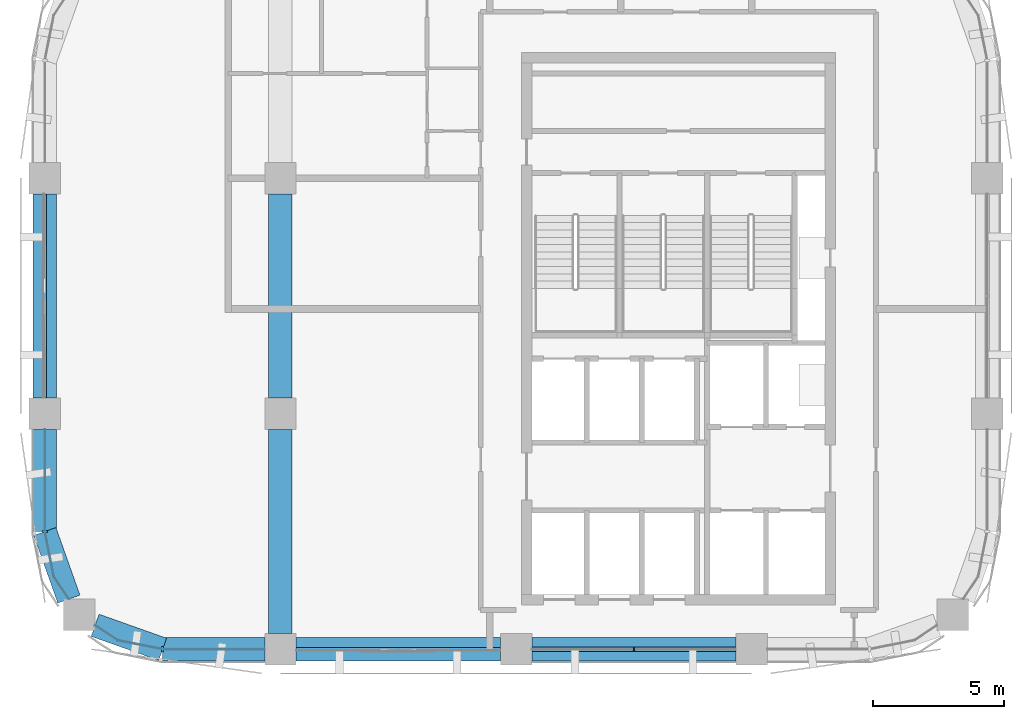
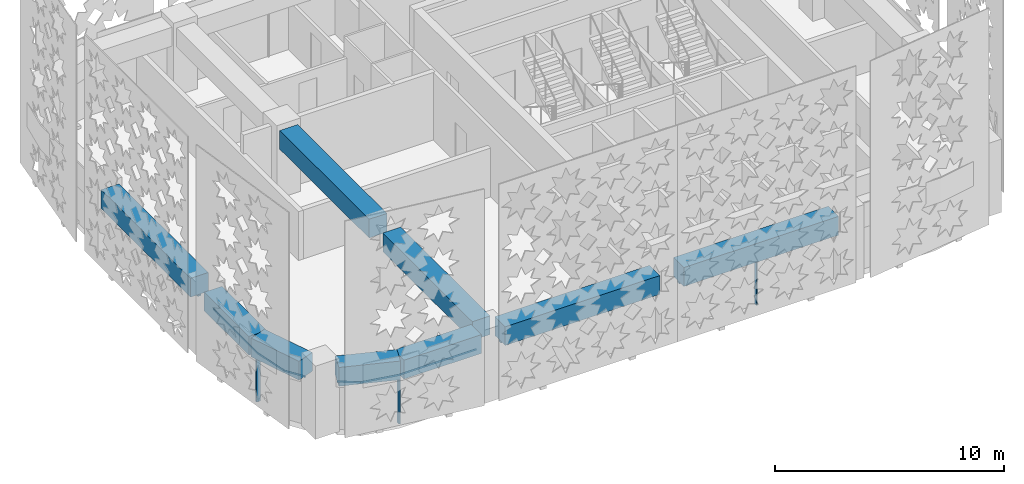
# One storey, part 2 of 15: 9 beams, 8 members, 5 elements without a shape of their own.
"""IFC4 building model written with IfcOpenShell, lengths in metres."""

from ifc_helpers import new_model, si_unit, direction, frame, origin, origin_2d, place, context, subcontext, project, spatial, polyline, rectangle, outline, extrude, material, material_profile, profile_set, type_object, element, aggregate, save


model = new_model("IFC4")

# Units and contexts
model_context = context("Model", 3, precision=1e-05, world=origin(), true_north=direction((0.0, 1.0)))
body_context = subcontext(model_context, "Body", "Model", "MODEL_VIEW")
ifc_project = project(units=[si_unit("LENGTHUNIT", "METRE"), si_unit("AREAUNIT", "SQUARE_METRE"), si_unit("VOLUMEUNIT", "CUBIC_METRE"), si_unit("PLANEANGLEUNIT", "RADIAN"), si_unit("MASSUNIT", "GRAM", prefix="KILO")], contexts=[model_context])

# Site, building, storey
site_placement = place(None, origin())
site = spatial("IfcSite", under=ifc_project, at=site_placement, CompositionType="ELEMENT")
building_placement = place(site_placement, origin())
building = spatial("IfcBuilding", under=site, at=building_placement, Name="Tessera Arch", CompositionType="ELEMENT")
storey_placement = place(building_placement, frame((0.0, 0.0, 257.89990234375)))
storey = spatial("IfcBuildingStorey", under=building, at=storey_placement, Name="L62", CompositionType="ELEMENT", Elevation=257.89990234375)

# Curtain wall, members
ifc_material_1 = material(Name="CW1 curtain wall")
curtain_wall_type_1 = type_object("IfcCurtainWallType", Name="CW1 curtain wall", PredefinedType="NOTDEFINED", material=ifc_material_1)
curtain_wall_1_placement = place(storey_placement, origin())
curtain_wall_1 = element("IfcCurtainWall", 1, at=curtain_wall_1_placement, inside=storey, type_object=curtain_wall_type_1, Name="CW1 curtain wall S27.18/2 L62", PredefinedType="NOTDEFINED")
ifc_material_2 = material(Name="Anodised aluminium pale metal", Category="aluminium")
ifc_material_profile_1 = material_profile(ifc_material_2, rectangle(XDim=0.159912109375, YDim=0.06005859375, at=origin_2d()), Name="AL 60x160")
ifc_profile_set_1 = profile_set([ifc_material_profile_1], Name="Anodised aluminium pale metal")
member_type_1 = type_object("IfcMemberType", Name="CW1 mullion", PredefinedType="MULLION", material=ifc_profile_set_1)
member_1_placement = place(storey_placement, frame((40.5, 27.0, 0.0), z_axis=(0.0, 0.0, 1.0), x_axis=(0.0, 1.0, 0.0)))
member_1 = element("IfcMember", 2, at=member_1_placement, type_object=member_type_1, Name="CW1 mullion S27.18/2 1", PredefinedType="MULLION", context=body_context, shape_type="SweptSolid", body=[
    extrude(rectangle(XDim=0.159912109375, YDim=0.06005859375, at=origin_2d()), origin(), (0.0, 0.0, 1.0), 2.5),
])
ifc_material_3 = material(Name="Anodised aluminium pale metal", Category="aluminium")
ifc_material_profile_2 = material_profile(ifc_material_3, rectangle(XDim=0.159912109375, YDim=0.10009765625, at=origin_2d()), Name="AL 160x100")
ifc_profile_set_2 = profile_set([ifc_material_profile_2], Name="Anodised aluminium pale metal")
member_type_2 = type_object("IfcMemberType", Name="CW1 transom", PredefinedType="USERDEFINED", material=ifc_profile_set_2)
member_2_placement = place(storey_placement, frame((36.60009765625, 27.0, 2.550048828125), z_axis=(1.0, 0.0, 0.0), x_axis=(0.0, 1.0, 0.0)))
member_2 = element("IfcMember", 3, at=member_2_placement, type_object=member_type_2, Name="CW1 transom S27.18/2 1.1", ObjectType="TRANSOM", PredefinedType="USERDEFINED", context=body_context, shape_type="SweptSolid", body=[
    extrude(rectangle(XDim=0.159912109375, YDim=0.10009765625, at=origin_2d()), origin(), (0.0, 0.0, 1.0), 7.7998046875),
])
aggregate(curtain_wall_1, [member_1, member_2])

# Curtain wall, member
ifc_material_4 = material(Name="CW2 curtain wall")
curtain_wall_type_2 = type_object("IfcCurtainWallType", Name="CW2 curtain wall", PredefinedType="NOTDEFINED", material=ifc_material_4)
curtain_wall_2_placement = place(storey_placement, origin())
curtain_wall_2 = element("IfcCurtainWall", 4, at=curtain_wall_2_placement, inside=storey, type_object=curtain_wall_type_2, Name="CW2 curtain wall W18.27/2 L62", PredefinedType="NOTDEFINED")
ifc_material_5 = material(Name="Anodised aluminium pale metal", Category="aluminium")
ifc_material_profile_3 = material_profile(ifc_material_5, rectangle(XDim=0.199951171875, YDim=0.080078125, at=origin_2d()), Name="AL 80x200")
ifc_profile_set_3 = profile_set([ifc_material_profile_3], Name="Anodised aluminium pale metal")
member_type_3 = type_object("IfcMemberType", Name="CW2 mullion", PredefinedType="MULLION", material=ifc_profile_set_3)
member_3_placement = place(storey_placement, frame((18.0, 31.5, 0.0), z_axis=(0.0, 0.0, 1.0), x_axis=(1.0, 0.0, 0.0)))
member_3 = element("IfcMember", 5, at=member_3_placement, type_object=member_type_3, Name="CW2 mullion W18.27/2 1", PredefinedType="MULLION", context=body_context, shape_type="SweptSolid", body=[
    extrude(rectangle(XDim=0.199951171875, YDim=0.080078125, at=origin_2d()), origin(), (0.0, 0.0, 1.0), 2.5),
])

curtain_wall_3_placement = place(storey_placement, origin())
curtain_wall_3 = element("IfcCurtainWall", 6, at=curtain_wall_3_placement, inside=storey, type_object=curtain_wall_type_2, Name="CW2 curtain wall S27.18/0 L62", PredefinedType="NOTDEFINED")
member_4_placement = place(storey_placement, frame((22.5, 27.0, 0.0), z_axis=(0.0, 0.0, 1.0), x_axis=(0.0, 1.0, 0.0)))
member_4 = element("IfcMember", 7, at=member_4_placement, type_object=member_type_3, Name="CW2 mullion S27.18/0 1", PredefinedType="MULLION", context=body_context, shape_type="SweptSolid", body=[
    extrude(rectangle(XDim=0.199951171875, YDim=0.080078125, at=origin_2d()), origin(), (0.0, 0.0, 1.0), 2.5),
])

# Member
ifc_material_6 = material(Name="Anodised aluminium pale metal", Category="aluminium")
ifc_material_profile_4 = material_profile(ifc_material_6, rectangle(XDim=0.199951171875, YDim=0.10009765625, at=origin_2d()), Name="AL 200x100")
ifc_profile_set_4 = profile_set([ifc_material_profile_4], Name="Anodised aluminium pale metal")
member_type_4 = type_object("IfcMemberType", Name="CW2 transom", PredefinedType="USERDEFINED", material=ifc_profile_set_4)
member_5_placement = place(storey_placement, frame((0.0, 0.0, 2.5)))
member_5 = element("IfcMember", 8, at=member_5_placement, type_object=member_type_4, Name="CW2 transom W18.27/2 1", ObjectType="TRANSOM", PredefinedType="USERDEFINED", context=body_context, shape_type="SweptSolid", body=[
    extrude(outline(polyline([(18.010009765625, 31.5009765625), (18.010009765625, 35.39990234375), (17.989990234375, 35.39990234375), (17.989990234375, 31.4990234375), (18.3330078125, 29.77392578125), (18.90869140625, 28.912353515625), (18.92529296875, 28.923583984375), (18.351806640625, 29.78173828125), (18.010009765625, 31.5009765625)])), origin(), (0.0, 0.0, 1.0), 0.10009765625),
])

aggregate(curtain_wall_2, [member_3, member_5])

member_6_placement = place(storey_placement, frame((0.0, 0.0, 2.5)))
member_6 = element("IfcMember", 9, at=member_6_placement, type_object=member_type_4, Name="CW2 transom S27.18/0 1", ObjectType="TRANSOM", PredefinedType="USERDEFINED", context=body_context, shape_type="SweptSolid", body=[
    extrude(outline(polyline([(20.78173828125, 27.351806640625), (19.923583984375, 27.92529296875), (19.912353515625, 27.90869140625), (20.77392578125, 27.3330078125), (22.4990234375, 26.989990234375), (26.39990234375, 26.989990234375), (26.39990234375, 27.010009765625), (22.5009765625, 27.010009765625), (20.78173828125, 27.351806640625)])), origin(), (0.0, 0.0, 1.0), 0.10009765625),
])

aggregate(curtain_wall_3, [member_4, member_6])

# Curtain wall, member
ifc_material_7 = material(Name="CW3 curtain wall")
curtain_wall_type_3 = type_object("IfcCurtainWallType", Name="CW3 curtain wall", PredefinedType="NOTDEFINED", material=ifc_material_7)
curtain_wall_4_placement = place(storey_placement, origin())
curtain_wall_4 = element("IfcCurtainWall", 10, at=curtain_wall_4_placement, inside=storey, type_object=curtain_wall_type_3, Name="CW3 curtain wall W18.27/1 L62", PredefinedType="NOTDEFINED")
ifc_material_8 = material(Name="Anodised aluminium pale metal", Category="aluminium")
ifc_material_profile_5 = material_profile(ifc_material_8, rectangle(XDim=0.139892578125, YDim=0.10009765625, at=origin_2d()), Name="AL 140x100")
ifc_profile_set_5 = profile_set([ifc_material_profile_5], Name="Anodised aluminium pale metal")
member_type_5 = type_object("IfcMemberType", Name="CW3 transom", PredefinedType="USERDEFINED", material=ifc_profile_set_5)
member_7_placement = place(storey_placement, frame((18.0, 44.39990234375, 2.550048828125), z_axis=(0.0, -1.0, 0.0), x_axis=(1.0, 0.0, 0.0)))
member_7 = element("IfcMember", 11, at=member_7_placement, type_object=member_type_5, Name="CW3 transom W18.27/1 1.1", ObjectType="TRANSOM", PredefinedType="USERDEFINED", context=body_context, shape_type="SweptSolid", body=[
    extrude(rectangle(XDim=0.139892578125, YDim=0.10009765625, at=origin_2d()), origin(), (0.0, 0.0, 1.0), 7.7998046875),
])
aggregate(curtain_wall_4, [member_7])

curtain_wall_5_placement = place(storey_placement, origin())
curtain_wall_5 = element("IfcCurtainWall", 12, at=curtain_wall_5_placement, inside=storey, type_object=curtain_wall_type_3, Name="CW3 curtain wall S27.18/1 L62", PredefinedType="NOTDEFINED")
member_8_placement = place(storey_placement, frame((27.60009765625, 27.0, 2.550048828125), z_axis=(1.0, 0.0, 0.0), x_axis=(0.0, 1.0, 0.0)))
member_8 = element("IfcMember", 13, at=member_8_placement, type_object=member_type_5, Name="CW3 transom S27.18/1 1.1", ObjectType="TRANSOM", PredefinedType="USERDEFINED", context=body_context, shape_type="SweptSolid", body=[
    extrude(rectangle(XDim=0.139892578125, YDim=0.10009765625, at=origin_2d()), origin(), (0.0, 0.0, 1.0), 7.7998046875),
])
aggregate(curtain_wall_5, [member_8])

# Beams
ifc_material_9 = material(Name="Concrete C60/75", Category="concrete")
ifc_material_profile_6 = material_profile(ifc_material_9, rectangle(XDim=0.89990234375, YDim=1.0, at=origin_2d()), Name="RC spandrel beam 900 x 1000 Concrete C60/75")
ifc_profile_set_6 = profile_set([ifc_material_profile_6], Name="Concrete C60/75")
beam_type = type_object("IfcBeamType", Name="RC spandrel beam 900 x 1000 Concrete C60/75", PredefinedType="BEAM", material=ifc_profile_set_6)
beam_1_placement = place(storey_placement, frame((18.0, 44.39990234375, 3.10009765625), z_axis=(0.0, -1.0, 0.0), x_axis=(1.0, 0.0, 0.0)))
element("IfcBeam", 14, at=beam_1_placement, inside=storey, type_object=beam_type, Name="Spandrel beam L62 W18.27/1", PredefinedType="BEAM", context=body_context, shape_type="SweptSolid", body=[
    extrude(rectangle(XDim=0.89990234375, YDim=1.0, at=origin_2d()), origin(), (0.0, 0.0, 1.0), 7.7998046875),
])
beam_2_placement = place(storey_placement, frame((18.0, 35.39990234375, 3.10009765625), z_axis=(0.0, -1.0, 0.0), x_axis=(1.0, 0.0, 0.0)))
element("IfcBeam", 15, at=beam_2_placement, inside=storey, type_object=beam_type, Name="Spandrel beam L62 W18.27/2.1", PredefinedType="BEAM", context=body_context, shape_type="SweptSolid", body=[
    extrude(rectangle(XDim=0.89990234375, YDim=1.0, at=origin_2d()), origin(), (0.0, 0.0, 1.0), 3.89990234375),
])
for number, where, z_axis, x_axis, name in (
    (16, (18.0, 31.5, 3.10009765625), (0.334665114373, -0.942337127159, 0.0), (0.942337127159, 0.334665114373, 0.0), "Spandrel beam L62 W18.27/2.2"),
    (17, (19.91796875, 27.9169921875, 3.10009765625), (0.942337127159, -0.334665114373, 0.0), (0.334665114373, 0.942337127159, 0.0), "Spandrel beam L62 S27.18/0.1"),
):
    element("IfcBeam", number, at=place(storey_placement, frame(where, z_axis=z_axis, x_axis=x_axis)), inside=storey, type_object=beam_type, Name=name, PredefinedType="BEAM", context=body_context, shape_type="SweptSolid", body=[
        extrude(rectangle(XDim=0.89990234375, YDim=1.0, at=origin_2d()), origin(), (0.0, 0.0, 1.0), 2.739990234375),
    ])
beam_3_placement = place(storey_placement, frame((22.5, 27.0, 3.10009765625), z_axis=(1.0, 0.0, 0.0), x_axis=(0.0, 1.0, 0.0)))
element("IfcBeam", 18, at=beam_3_placement, inside=storey, type_object=beam_type, Name="Spandrel beam L62 S27.18/0.2", PredefinedType="BEAM", context=body_context, shape_type="SweptSolid", body=[
    extrude(rectangle(XDim=0.89990234375, YDim=1.0, at=origin_2d()), origin(), (0.0, 0.0, 1.0), 3.89990234375),
])
for number, where, z_axis, x_axis, name in (
    (19, (27.60009765625, 27.0, 3.10009765625), (1.0, 0.0, 0.0), (0.0, 1.0, 0.0), "Spandrel beam L62 S27.18/1"),
    (20, (36.60009765625, 27.0, 3.10009765625), (1.0, 0.0, 0.0), (0.0, 1.0, 0.0), "Spandrel beam L62 S27.18/2"),
    (21, (27.0, 27.60009765625, 3.10009765625), (0.0, 1.0, 0.0), (-1.0, 0.0, 0.0), "Interface beam L62 I0C4D-C4E"),
    (22, (27.0, 36.60009765625, 3.10009765625), (0.0, 1.0, 0.0), (-1.0, 0.0, 0.0), "Interface beam L62 I0C4E-C4F"),
):
    element("IfcBeam", number, at=place(storey_placement, frame(where, z_axis=z_axis, x_axis=x_axis)), inside=storey, type_object=beam_type, Name=name, PredefinedType="BEAM", context=body_context, shape_type="SweptSolid", body=[
        extrude(rectangle(XDim=0.89990234375, YDim=1.0, at=origin_2d()), origin(), (0.0, 0.0, 1.0), 7.7998046875),
    ])

save(model, "model.ifc")
